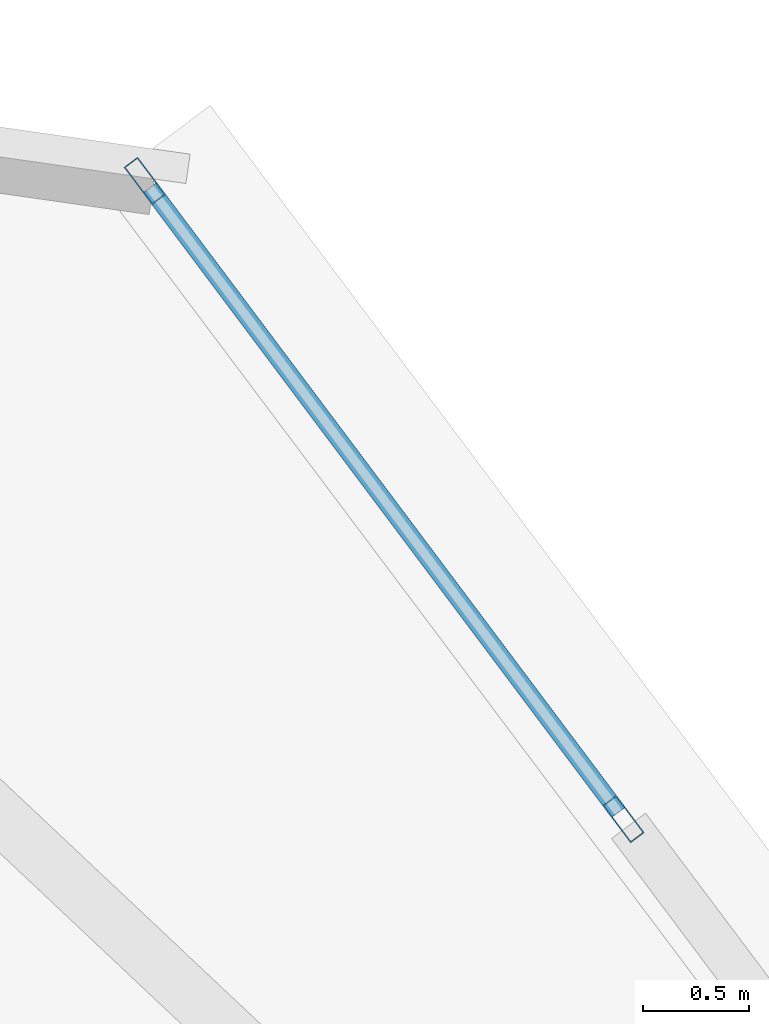
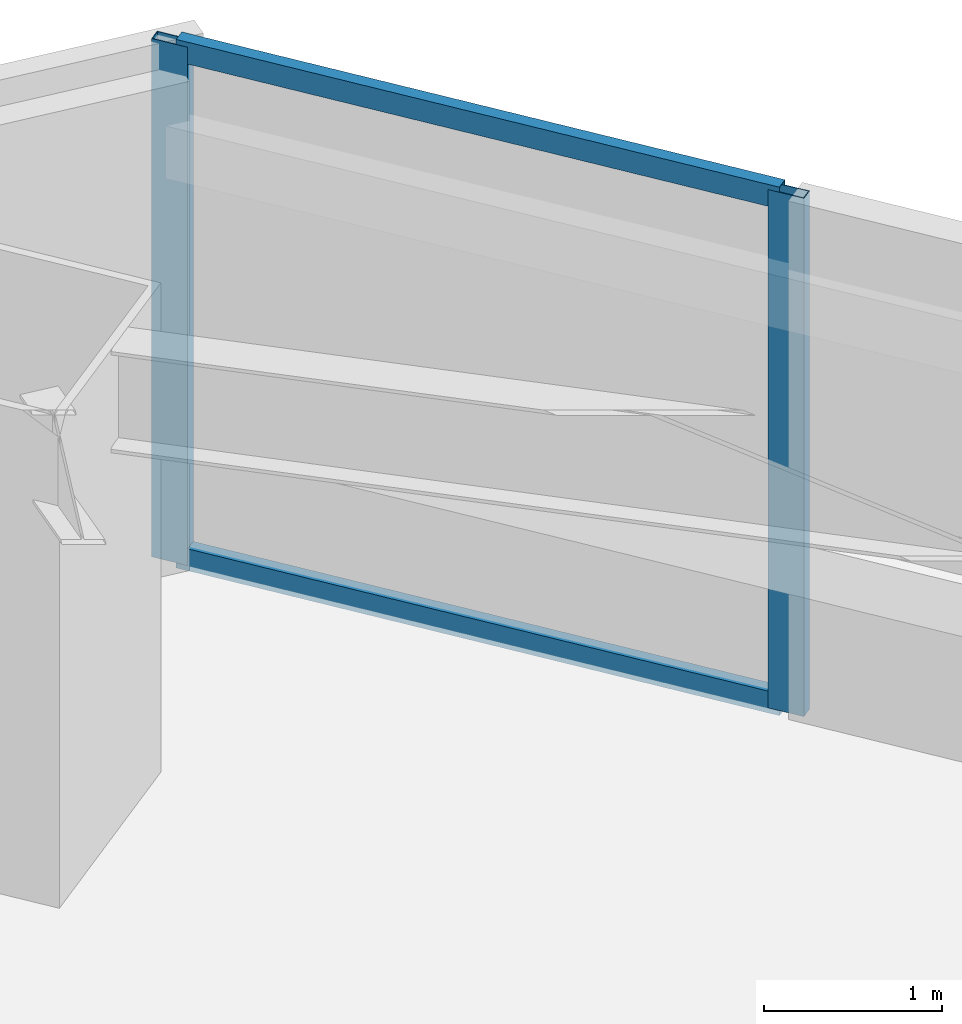
# One storey, part 34 of 47: 4 members, 1 element without a shape of its own.
"""IFC4 building model written with IfcOpenShell, lengths in metres."""

from ifc_helpers import new_model, si_unit, direction, frame, origin, origin_2d, place, context, subcontext, project, spatial, hollow_rectangle, extrude, material, material_profile, profile_set, type_object, element, aggregate, save


model = new_model("IFC4")

# Units and contexts
model_context = context("Model", 3, precision=1e-05, world=origin(), true_north=direction((0.0, 1.0)))
body_context = subcontext(model_context, "Body", "Model", "MODEL_VIEW")
ifc_project = project(units=[si_unit("LENGTHUNIT", "METRE"), si_unit("AREAUNIT", "SQUARE_METRE"), si_unit("VOLUMEUNIT", "CUBIC_METRE"), si_unit("PLANEANGLEUNIT", "RADIAN"), si_unit("MASSUNIT", "GRAM", prefix="KILO")], contexts=[model_context])

# Site, building, storey
site_placement = place(None, origin())
site = spatial("IfcSite", under=ifc_project, at=site_placement, CompositionType="ELEMENT")
building_placement = place(site_placement, origin())
building = spatial("IfcBuilding", under=site, at=building_placement, Name="Tashvorn Skyway Center", CompositionType="ELEMENT")
storey_placement = place(building_placement, frame((0.0, 0.0, 81.39990234375)))
storey = spatial("IfcBuildingStorey", under=building, at=storey_placement, Name="L21", CompositionType="ELEMENT", Elevation=81.39990234375)

# Curtain wall, members
ifc_material = material(Name="Thermally broken bronze-anodized aluminium 6063-T6", Category="aluminium")
curtain_wall_type = type_object("IfcCurtainWallType", Name="CW-CW-Z2", PredefinedType="NOTDEFINED", material=ifc_material)
curtain_wall_placement = place(storey_placement, origin())
curtain_wall = element("IfcCurtainWall", 1, at=curtain_wall_placement, inside=storey, type_object=curtain_wall_type, Name="Tower 2 L21 East Unitised Curtain Wall Glazing Group 1", PredefinedType="NOTDEFINED")
ifc_material_profile_1 = material_profile(ifc_material, hollow_rectangle(XDim=0.080078125, YDim=0.219970703125, WallThickness=0.0048828125, at=origin_2d()), Name="ALU-MULL-80x220")
ifc_profile_set_1 = profile_set([ifc_material_profile_1], Name="Thermally broken bronze-anodized aluminium 6063-T6")
member_type_1 = type_object("IfcMemberType", Name="CWM-CW-Z2", PredefinedType="MULLION", material=ifc_profile_set_1)
member_1_placement = place(storey_placement, frame((119.56005859375, 57.719970703125, 0.0), z_axis=(0.0, 0.0, 1.0), x_axis=(0.799999999998, 0.600000000002, 0.0)))
member_1 = element("IfcMember", 2, at=member_1_placement, type_object=member_type_1, Name="CW-Z2 mullion 1", PredefinedType="MULLION", context=body_context, shape_type="SweptSolid", body=[
    extrude(hollow_rectangle(XDim=0.080078125, YDim=0.219970703125, WallThickness=0.0048828125, at=origin_2d()), origin(), (0.0, 0.0, 1.0), 3.550048828125),
])
member_2_placement = place(storey_placement, frame((121.81591796875, 54.7119140625, 0.0), z_axis=(0.0, 0.0, 1.0), x_axis=(0.799999999998, 0.600000000002, 0.0)))
member_2 = element("IfcMember", 3, at=member_2_placement, type_object=member_type_1, Name="CW-Z2 mullion 2", PredefinedType="MULLION", context=body_context, shape_type="SweptSolid", body=[
    extrude(hollow_rectangle(XDim=0.080078125, YDim=0.219970703125, WallThickness=0.0048828125, at=origin_2d()), origin(), (0.0, 0.0, 1.0), 3.550048828125),
])
ifc_material_profile_2 = material_profile(ifc_material, hollow_rectangle(XDim=0.080078125, YDim=0.14990234375, WallThickness=0.00439453125, at=origin_2d()), Name="ALU-TRAN-80x150")
ifc_profile_set_2 = profile_set([ifc_material_profile_2], Name="Thermally broken bronze-anodized aluminium 6063-T6")
member_type_2 = type_object("IfcMemberType", Name="CWT-CW-Z2", PredefinedType="USERDEFINED", material=ifc_profile_set_2)
member_3_placement = place(storey_placement, frame((119.583984375, 57.68798828125, 0.0400390625), z_axis=(0.599989385363, -0.800007960868, 0.0), x_axis=(0.800007960868, 0.599989385363, 0.0)))
member_3 = element("IfcMember", 4, at=member_3_placement, type_object=member_type_2, Name="CW-Z2 transom 1.1", ObjectType="TRANSOM", PredefinedType="USERDEFINED", context=body_context, shape_type="SweptSolid", body=[
    extrude(hollow_rectangle(XDim=0.080078125, YDim=0.14990234375, WallThickness=0.00439453125, at=origin_2d()), origin(), (0.0, 0.0, 1.0), 3.68017578125),
])
member_4_placement = place(storey_placement, frame((119.583984375, 57.68798828125, 3.510009765625), z_axis=(0.599989385363, -0.800007960868, 0.0), x_axis=(0.800007960868, 0.599989385363, 0.0)))
member_4 = element("IfcMember", 5, at=member_4_placement, type_object=member_type_2, Name="CW-Z2 transom 1.2", ObjectType="TRANSOM", PredefinedType="USERDEFINED", context=body_context, shape_type="SweptSolid", body=[
    extrude(hollow_rectangle(XDim=0.080078125, YDim=0.14990234375, WallThickness=0.00439453125, at=origin_2d()), origin(), (0.0, 0.0, 1.0), 3.68017578125),
])
aggregate(curtain_wall, [member_1, member_2, member_3, member_4])

save(model, "model.ifc")
